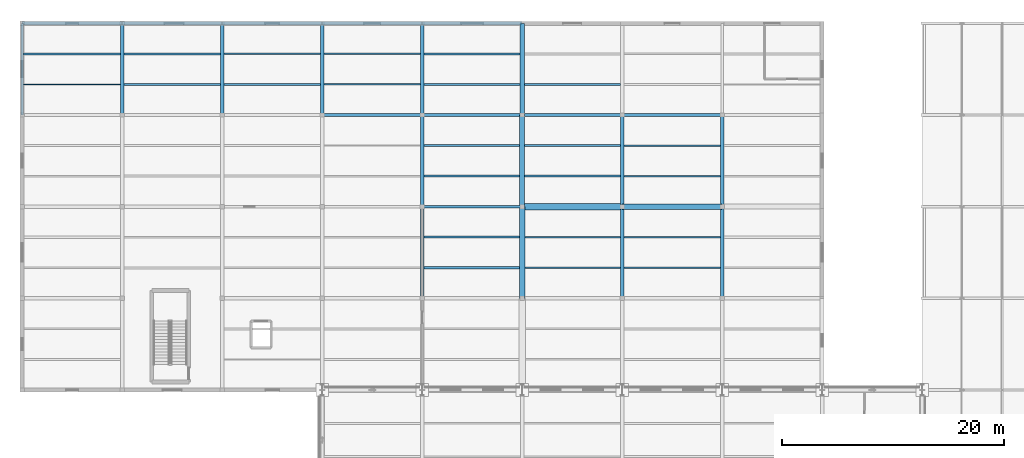
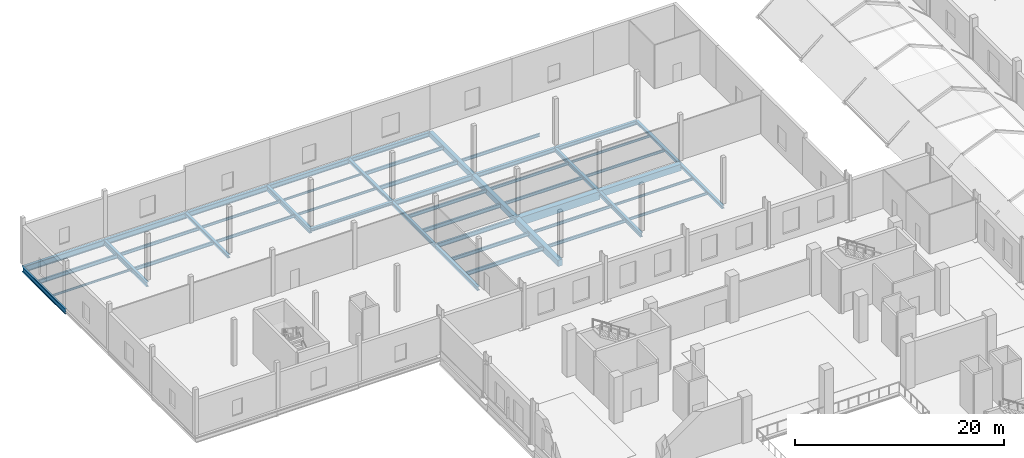
# One storey, part 45 of 141: 49 beams.
"""IFC4 building model written with IfcOpenShell, lengths in metres."""

import ifcopenshell
import ifcopenshell.guid

model = None  # the IFC model being written
_history = None  # IfcOwnerHistory: only IFC2X3 demands one
_inside = {}  # id of a spatial element -> (the spatial element, [elements in it])
_under = {}  # id of a project, library or spatial element -> (it, [spatial elements below it])
_declared = {}  # id of a project -> (the project, [libraries it declares])
_typed = {}  # id of a type object -> (the type object, [elements of that type])
_made_of = {}  # id of a material, layer set ... -> (it, [elements and type objects made of it])


def new_model(schema):
    """Start an empty IFC model of exactly this schema.

    Asked for "IFC4X3", IfcOpenShell would pick the latest addendum, in which some entities
    have other attributes; the version numbers below select the first issue.
    IFC2X3 requires an IfcOwnerHistory on every rooted entity: one is made here for all.
    """
    global model, _history
    if schema == "IFC4X3":
        model = ifcopenshell.file(schema_version=(4, 3, 0, 0))
    else:
        model = ifcopenshell.file(schema=schema)
    _inside.clear()
    _under.clear()
    _declared.clear()
    _typed.clear()
    _made_of.clear()
    _history = None
    if model.schema == "IFC2X3":
        org = make("IfcOrganization", Name="unknown")
        user = make(
            "IfcPersonAndOrganization",
            ThePerson=make("IfcPerson", FamilyName="unknown"),
            TheOrganization=org,
        )
        app = make(
            "IfcApplication",
            ApplicationDeveloper=org,
            Version="unknown",
            ApplicationFullName="unknown",
            ApplicationIdentifier="unknown",
        )
        _history = make(
            "IfcOwnerHistory",
            OwningUser=user,
            OwningApplication=app,
            ChangeAction="ADDED",
            CreationDate=0,
        )
    return model


def make(cls, **values):
    """One entity of the class cls with the attributes given. An attribute that is None is left unset."""
    return model.create_entity(
        cls, **{name: value for name, value in values.items() if value is not None}
    )


def rooted(cls, **values):
    """An entity with a GlobalId (a new one), such as an element, a storey or a relation."""
    return make(cls, GlobalId=ifcopenshell.guid.new(), OwnerHistory=_history, **values)


def si_unit(unit_type, name, prefix=None):
    """IfcSIUnit, for example si_unit("LENGTHUNIT", "METRE", prefix="MILLI")."""
    return make("IfcSIUnit", UnitType=unit_type, Prefix=prefix, Name=name)


def assignment(units):
    """IfcUnitAssignment: the units of a project."""
    return None if units is None else make("IfcUnitAssignment", Units=units)


def point(xyz):
    """IfcCartesianPoint."""
    return None if xyz is None else make("IfcCartesianPoint", Coordinates=xyz)


def direction(xyz):
    """IfcDirection."""
    return None if xyz is None else make("IfcDirection", DirectionRatios=xyz)


def frame(location, z_axis=None, x_axis=None):
    """IfcAxis2Placement3D, a coordinate frame: its origin and axes. An axis left out is left unset."""
    return make(
        "IfcAxis2Placement3D",
        Location=point(location),
        Axis=direction(z_axis),
        RefDirection=direction(x_axis),
    )


def frame_2d(location, x_axis=None):
    """IfcAxis2Placement2D, a coordinate frame in the plane: its origin and x axis."""
    return make(
        "IfcAxis2Placement2D", Location=point(location), RefDirection=direction(x_axis)
    )


def origin():
    """The frame at (0, 0, 0) with its axes left unset."""
    return frame((0.0, 0.0, 0.0))


def origin_2d():
    """The frame at (0, 0) in the plane with its x axis left unset."""
    return frame_2d((0.0, 0.0))


def place(relative_to, where):
    """IfcLocalPlacement: puts the frame where relative to a parent placement (None: the world)."""
    return make(
        "IfcLocalPlacement", PlacementRelTo=relative_to, RelativePlacement=where
    )


def context(
    kind, dimensions, precision=None, world=None, true_north=None, identifier=None
):
    """IfcGeometricRepresentationContext, for example the 3D "Model" context."""
    return make(
        "IfcGeometricRepresentationContext",
        ContextIdentifier=identifier,
        ContextType=kind,
        CoordinateSpaceDimension=dimensions,
        Precision=precision,
        WorldCoordinateSystem=world,
        TrueNorth=true_north,
    )


def subcontext(parent, identifier, kind, view, scale=None):
    """IfcGeometricRepresentationSubContext, for example "Body" below "Model"."""
    return make(
        "IfcGeometricRepresentationSubContext",
        ContextIdentifier=identifier,
        ContextType=kind,
        ParentContext=parent,
        TargetScale=scale,
        TargetView=view,
    )


def project(units=None, contexts=None):
    """IfcProject with its units and contexts."""
    return rooted(
        "IfcProject",
        Name="project",
        RepresentationContexts=contexts,
        UnitsInContext=assignment(units),
    )


def spatial(cls, under=None, at=None, **own):
    """A site, building, storey or space (cls), placed at a placement, below another one or the project."""
    s = rooted(cls, ObjectPlacement=at, **own)
    if under is not None:
        _under.setdefault(under.id(), (under, []))[1].append(s)
    return s


def profile(cls, at=None, kind="AREA", **sizes):
    """A parametric profile (cls). Its sizes go by their IFC names, for example OverallWidth=200.0."""
    return make(cls, ProfileType=kind, Position=at, **sizes)


def rectangle(**sizes):
    """IfcRectangleProfileDef."""
    return profile("IfcRectangleProfileDef", **sizes)


def i_section(**sizes):
    """IfcIShapeProfileDef."""
    return profile("IfcIShapeProfileDef", **sizes)


def extrude(swept, where, along, depth):
    """IfcExtrudedAreaSolid: the profile swept, set in the frame where, extruded along a direction by depth."""
    return make(
        "IfcExtrudedAreaSolid",
        SweptArea=swept,
        Position=where,
        ExtrudedDirection=direction(along),
        Depth=depth,
    )


def shape(context_of_items, identifier, shape_type, items):
    """IfcShapeRepresentation: the items that make up one representation, for example the "Body"."""
    return make(
        "IfcShapeRepresentation",
        ContextOfItems=context_of_items,
        RepresentationIdentifier=identifier,
        RepresentationType=shape_type,
        Items=items,
    )


def material(Name=None, Category=None):
    """IfcMaterial."""
    return make("IfcMaterial", Name=Name, Category=Category)


def material_profile(
    of_material, cross_section, Name=None, Category=None, Priority=None
):
    """IfcMaterialProfile: a cross section and its material."""
    return make(
        "IfcMaterialProfile",
        Name=Name,
        Material=of_material,
        Profile=cross_section,
        Priority=Priority,
        Category=Category,
    )


def profile_set(profiles, Name=None, composite=None):
    """IfcMaterialProfileSet."""
    return make(
        "IfcMaterialProfileSet",
        Name=Name,
        MaterialProfiles=profiles,
        CompositeProfile=composite,
    )


def made_of(thing, what):
    """Note that an element or type object is made of a material, layer set ...; save() writes the relation."""
    if what is not None:
        _made_of.setdefault(what.id(), (what, []))[1].append(thing)
    return thing


def type_object(cls, material=None, **own):
    """A type object (cls), such as IfcWallType, which elements share."""
    return made_of(rooted(cls, **own), material)


def element(
    cls,
    number,
    at=None,
    inside=None,
    cuts=None,
    type_object=None,
    material=None,
    context=None,
    identifier="Body",
    shape_type=None,
    held_by="IfcProductDefinitionShape",
    body=None,
    shapes=None,
    **own,
):
    """One element of the class cls, such as IfcWall. Its Tag is "e" and its number.

    at: its placement. inside: the storey or other place that contains it. cuts: it is an
    opening in that element (IfcRelVoidsElement). A single representation is given by context,
    identifier, shape_type and body (its items); several are given by shapes. held_by: the class
    of the entity that holds the representations. save() writes the other relations.
    """
    e = rooted(cls, Tag="e%d" % number, ObjectPlacement=at, **own)
    if body is not None:
        shapes = [shape(context, identifier, shape_type, body)]
    if shapes is not None:
        e.Representation = make(held_by, Representations=shapes)
    if inside is not None:
        _inside.setdefault(inside.id(), (inside, []))[1].append(e)
    if cuts is not None:
        rooted(
            "IfcRelVoidsElement", RelatingBuildingElement=cuts, RelatedOpeningElement=e
        )
    if type_object is not None:
        _typed.setdefault(type_object.id(), (type_object, []))[1].append(e)
    return made_of(e, material)


def aggregate(whole, parts):
    """IfcRelAggregates: a whole, such as a stair, and the parts it consists of."""
    return rooted("IfcRelAggregates", RelatingObject=whole, RelatedObjects=parts)


def save(model, path):
    """Write the relations noted so far, then the file.

    IfcRelAggregates (storeys below a building ...), IfcRelContainedInSpatialStructure (elements
    in a storey), IfcRelDefinesByType, IfcRelAssociatesMaterial and IfcRelDeclares: one each for
    every whole, place, type object, material and project.
    """
    for whole, parts in _under.values():
        aggregate(whole, parts)
    for where, things in _inside.values():
        rooted(
            "IfcRelContainedInSpatialStructure",
            RelatedElements=things,
            RelatingStructure=where,
        )
    for kind, things in _typed.values():
        rooted("IfcRelDefinesByType", RelatedObjects=things, RelatingType=kind)
    for what, things in _made_of.values():
        rooted("IfcRelAssociatesMaterial", RelatedObjects=things, RelatingMaterial=what)
    for by, libraries in _declared.values():
        rooted("IfcRelDeclares", RelatingContext=by, RelatedDefinitions=libraries)
    model.write(path)


model = new_model("IFC4")

# Units and contexts
model_context = context("Model", 3, precision=1e-05, world=origin(), true_north=direction((0.0, 1.0)))
body_context = subcontext(model_context, "Body", "Model", "MODEL_VIEW")
ifc_project = project(units=[si_unit("LENGTHUNIT", "METRE"), si_unit("AREAUNIT", "SQUARE_METRE"), si_unit("VOLUMEUNIT", "CUBIC_METRE"), si_unit("PLANEANGLEUNIT", "RADIAN"), si_unit("MASSUNIT", "GRAM", prefix="KILO")], contexts=[model_context])

# Site, building, storey
site_placement = place(None, origin())
site = spatial("IfcSite", under=ifc_project, at=site_placement, CompositionType="ELEMENT")
building_placement = place(site_placement, origin())
building = spatial("IfcBuilding", under=site, at=building_placement, Name="Sundgate Opera House", CompositionType="ELEMENT")
storey_placement = place(building_placement, frame((0.0, 0.0, 11.39990234375)))
storey = spatial("IfcBuildingStorey", under=building, at=storey_placement, Name="L02", CompositionType="ELEMENT", Elevation=11.39990234375)

# Beams
ifc_material_1 = material(Name="Steel S355J2", Category="steel")
ifc_material_profile_1 = material_profile(ifc_material_1, i_section(OverallWidth=0.300048828125, OverallDepth=0.330078125, WebThickness=0.009521484375, FlangeThickness=0.0166015625, at=origin_2d()), Name="HEA 340")
ifc_profile_set_1 = profile_set([ifc_material_profile_1], Name="Steel S355J2")
beam_type_1 = type_object("IfcBeamType", Name="BM-GR-HEA340", PredefinedType="BEAM", material=ifc_profile_set_1)
beam_1_placement = place(storey_placement, frame((63.0, 103.5, -0.514892578125), z_axis=(0.0, 1.0, 0.0), x_axis=(-1.0, 0.0, 0.0)))
element("IfcBeam", 1, at=beam_1_placement, inside=storey, type_object=beam_type_1, Name="L02 Primary N-S Girder B1836", PredefinedType="BEAM", context=body_context, shape_type="SweptSolid", body=[
    extrude(i_section(OverallWidth=0.300048828125, OverallDepth=0.330078125, WebThickness=0.009521484375, FlangeThickness=0.0166015625, at=origin_2d()), origin(), (0.0, 0.0, 1.0), 8.25),
])
ifc_material_2 = material(Name="Steel S355J2", Category="steel")
ifc_material_profile_2 = material_profile(ifc_material_2, i_section(OverallWidth=0.300048828125, OverallDepth=0.35009765625, WebThickness=0.010009765625, FlangeThickness=0.017578125, at=origin_2d()), Name="HEA 360")
ifc_profile_set_2 = profile_set([ifc_material_profile_2], Name="Steel S355J2")
beam_type_2 = type_object("IfcBeamType", Name="BM-GR-HEA360", PredefinedType="BEAM", material=ifc_profile_set_2)
for number, where, z_axis, x_axis, name in (
    (2, (18.0, 111.75, -0.52490234375), (0.0, 1.0, 0.0), (-1.0, 0.0, 0.0), "L02 Primary N-S Girder B1810"),
    (3, (36.0, 111.75, -0.52490234375), (0.0, 1.0, 0.0), (-1.0, 0.0, 0.0), "L02 Primary N-S Girder B1822"),
    (4, (63.0, 95.25, -0.52490234375), (0.0, 1.0, 0.0), (-1.0, 0.0, 0.0), "L02 Primary N-S Girder B1835"),
):
    element("IfcBeam", number, at=place(storey_placement, frame(where, z_axis=z_axis, x_axis=x_axis)), inside=storey, type_object=beam_type_2, Name=name, PredefinedType="BEAM", context=body_context, shape_type="SweptSolid", body=[
        extrude(i_section(OverallWidth=0.300048828125, OverallDepth=0.35009765625, WebThickness=0.010009765625, FlangeThickness=0.017578125, at=origin_2d()), origin(), (0.0, 0.0, 1.0), 8.25),
    ])
ifc_material_3 = material(Name="Steel S355J2", Category="steel")
ifc_material_profile_3 = material_profile(ifc_material_3, i_section(OverallWidth=0.300048828125, OverallDepth=0.389892578125, WebThickness=0.010986328125, FlangeThickness=0.01904296875, at=origin_2d()), Name="HEA 400")
ifc_profile_set_3 = profile_set([ifc_material_profile_3], Name="Steel S355J2")
beam_type_3 = type_object("IfcBeamType", Name="BM-GR-HEA400", PredefinedType="BEAM", material=ifc_profile_set_3)
beam_2_placement = place(storey_placement, frame((36.0, 103.5, -0.544921875), z_axis=(0.0, 1.0, 0.0), x_axis=(-1.0, 0.0, 0.0)))
element("IfcBeam", 5, at=beam_2_placement, inside=storey, type_object=beam_type_3, Name="L02 Primary N-S Girder B1821", PredefinedType="BEAM", context=body_context, shape_type="SweptSolid", body=[
    extrude(i_section(OverallWidth=0.300048828125, OverallDepth=0.389892578125, WebThickness=0.010986328125, FlangeThickness=0.01904296875, at=origin_2d()), origin(), (0.0, 0.0, 1.0), 8.25),
])
ifc_material_4 = material(Name="Steel S355J2", Category="steel")
ifc_material_profile_4 = material_profile(ifc_material_4, i_section(OverallWidth=0.300048828125, OverallDepth=0.43994140625, WebThickness=0.011474609375, FlangeThickness=0.02099609375, at=origin_2d()), Name="HEA 450")
ifc_profile_set_4 = profile_set([ifc_material_profile_4], Name="Steel S355J2")
beam_type_4 = type_object("IfcBeamType", Name="BM-GR-HEA450", PredefinedType="BEAM", material=ifc_profile_set_4)
beam_3_placement = place(storey_placement, frame((36.0, 95.25, -0.56982421875), z_axis=(0.0, 1.0, 0.0), x_axis=(-1.0, 0.0, 0.0)))
element("IfcBeam", 6, at=beam_3_placement, inside=storey, type_object=beam_type_4, Name="L02 Primary N-S Girder B1820", PredefinedType="BEAM", context=body_context, shape_type="SweptSolid", body=[
    extrude(i_section(OverallWidth=0.300048828125, OverallDepth=0.43994140625, WebThickness=0.011474609375, FlangeThickness=0.02099609375, at=origin_2d()), origin(), (0.0, 0.0, 1.0), 8.25),
])
beam_4_placement = place(storey_placement, frame((54.0, 111.75, -0.56982421875), z_axis=(1.0, 0.0, 0.0), x_axis=(0.0, 1.0, 0.0)))
element("IfcBeam", 7, at=beam_4_placement, inside=storey, type_object=beam_type_4, Name="L02 Primary E-W Girder B2101", PredefinedType="BEAM", context=body_context, shape_type="SweptSolid", body=[
    extrude(i_section(OverallWidth=0.300048828125, OverallDepth=0.43994140625, WebThickness=0.011474609375, FlangeThickness=0.02099609375, at=origin_2d()), origin(), (0.0, 0.0, 1.0), 9.0),
])
ifc_material_5 = material(Name="Steel S355J2", Category="steel")
ifc_material_profile_5 = material_profile(ifc_material_5, i_section(OverallWidth=0.300048828125, OverallDepth=0.489990234375, WebThickness=0.011962890625, FlangeThickness=0.02294921875, at=origin_2d()), Name="HEA 500")
ifc_profile_set_5 = profile_set([ifc_material_profile_5], Name="Steel S355J2")
beam_type_5 = type_object("IfcBeamType", Name="BM-GR-HEA500", PredefinedType="BEAM", material=ifc_profile_set_5)
beam_5_placement = place(storey_placement, frame((45.0, 111.75, -0.594970703125), z_axis=(1.0, 0.0, 0.0), x_axis=(0.0, 1.0, 0.0)))
element("IfcBeam", 8, at=beam_5_placement, inside=storey, type_object=beam_type_5, Name="L02 Primary E-W Girder B2100", PredefinedType="BEAM", context=body_context, shape_type="SweptSolid", body=[
    extrude(i_section(OverallWidth=0.300048828125, OverallDepth=0.489990234375, WebThickness=0.011962890625, FlangeThickness=0.02294921875, at=origin_2d()), origin(), (0.0, 0.0, 1.0), 9.0),
])
ifc_material_6 = material(Name="Steel S355J2", Category="steel")
ifc_material_profile_6 = material_profile(ifc_material_6, i_section(OverallWidth=0.300048828125, OverallDepth=0.590087890625, WebThickness=0.012939453125, FlangeThickness=0.02490234375, at=origin_2d()), Name="HEA 600")
ifc_profile_set_6 = profile_set([ifc_material_profile_6], Name="Steel S355J2")
beam_type_6 = type_object("IfcBeamType", Name="BM-GR-HEA600", PredefinedType="BEAM", material=ifc_profile_set_6)
beam_6_placement = place(storey_placement, frame((36.0, 111.75, -0.64501953125), z_axis=(1.0, 0.0, 0.0), x_axis=(0.0, 1.0, 0.0)))
element("IfcBeam", 9, at=beam_6_placement, inside=storey, type_object=beam_type_6, Name="L02 Primary E-W Girder B2099", PredefinedType="BEAM", context=body_context, shape_type="SweptSolid", body=[
    extrude(i_section(OverallWidth=0.300048828125, OverallDepth=0.590087890625, WebThickness=0.012939453125, FlangeThickness=0.02490234375, at=origin_2d()), origin(), (0.0, 0.0, 1.0), 9.0),
])
ifc_material_7 = material(Name="Steel S355J2", Category="steel")
ifc_material_profile_7 = material_profile(ifc_material_7, i_section(OverallWidth=0.300048828125, OverallDepth=0.360107421875, WebThickness=0.012451171875, FlangeThickness=0.0224609375, at=origin_2d()), Name="HEB 360")
ifc_profile_set_7 = profile_set([ifc_material_profile_7], Name="Steel S355J2")
beam_type_7 = type_object("IfcBeamType", Name="BM-GR-HEB360", PredefinedType="BEAM", material=ifc_profile_set_7)
beam_7_placement = place(storey_placement, frame((27.0, 111.75, -0.52978515625), z_axis=(1.0, 0.0, 0.0), x_axis=(0.0, 1.0, 0.0)))
element("IfcBeam", 10, at=beam_7_placement, inside=storey, type_object=beam_type_7, Name="L02 Primary E-W Girder B2098", PredefinedType="BEAM", context=body_context, shape_type="SweptSolid", body=[
    extrude(i_section(OverallWidth=0.300048828125, OverallDepth=0.360107421875, WebThickness=0.012451171875, FlangeThickness=0.0224609375, at=origin_2d()), origin(), (0.0, 0.0, 1.0), 9.0),
])
ifc_material_8 = material(Name="Steel S355J2", Category="steel")
ifc_material_profile_8 = material_profile(ifc_material_8, i_section(OverallWidth=0.300048828125, OverallDepth=0.449951171875, WebThickness=0.013916015625, FlangeThickness=0.02587890625, at=origin_2d()), Name="HEB 450")
ifc_profile_set_8 = profile_set([ifc_material_profile_8], Name="Steel S355J2")
beam_type_8 = type_object("IfcBeamType", Name="BM-GR-HEB450", PredefinedType="BEAM", material=ifc_profile_set_8)
beam_8_placement = place(storey_placement, frame((54.0, 103.5, -0.574951171875), z_axis=(0.0, 1.0, 0.0), x_axis=(-1.0, 0.0, 0.0)))
element("IfcBeam", 11, at=beam_8_placement, inside=storey, type_object=beam_type_8, Name="L02 Primary N-S Girder B1831", PredefinedType="BEAM", context=body_context, shape_type="SweptSolid", body=[
    extrude(i_section(OverallWidth=0.300048828125, OverallDepth=0.449951171875, WebThickness=0.013916015625, FlangeThickness=0.02587890625, at=origin_2d()), origin(), (0.0, 0.0, 1.0), 8.25),
])
ifc_material_9 = material(Name="Steel S355J2", Category="steel")
ifc_material_profile_9 = material_profile(ifc_material_9, i_section(OverallWidth=0.300048828125, OverallDepth=0.5, WebThickness=0.014404296875, FlangeThickness=0.028076171875, at=origin_2d()), Name="HEB 500")
ifc_profile_set_9 = profile_set([ifc_material_profile_9], Name="Steel S355J2")
beam_type_9 = type_object("IfcBeamType", Name="BM-GR-HEB500", PredefinedType="BEAM", material=ifc_profile_set_9)
beam_9_placement = place(storey_placement, frame((54.0, 95.25, -0.599853515625), z_axis=(0.0, 1.0, 0.0), x_axis=(-1.0, 0.0, 0.0)))
element("IfcBeam", 12, at=beam_9_placement, inside=storey, type_object=beam_type_9, Name="L02 Primary N-S Girder B1830", PredefinedType="BEAM", context=body_context, shape_type="SweptSolid", body=[
    extrude(i_section(OverallWidth=0.300048828125, OverallDepth=0.5, WebThickness=0.014404296875, FlangeThickness=0.028076171875, at=origin_2d()), origin(), (0.0, 0.0, 1.0), 8.25),
])
beam_10_placement = place(storey_placement, frame((36.0, 120.0, -0.599853515625), z_axis=(1.0, 0.0, 0.0), x_axis=(0.0, 1.0, 0.0)))
element("IfcBeam", 13, at=beam_10_placement, inside=storey, type_object=beam_type_9, Name="L02 Primary E-W Girder B2117", PredefinedType="BEAM", context=body_context, shape_type="SweptSolid", body=[
    extrude(i_section(OverallWidth=0.300048828125, OverallDepth=0.5, WebThickness=0.014404296875, FlangeThickness=0.028076171875, at=origin_2d()), origin(), (0.0, 0.0, 1.0), 9.0),
])
ifc_material_10 = material(Name="Steel S355J2", Category="steel")
ifc_material_profile_10 = material_profile(ifc_material_10, i_section(OverallWidth=0.300048828125, OverallDepth=0.550048828125, WebThickness=0.014892578125, FlangeThickness=0.029052734375, at=origin_2d()), Name="HEB 550")
ifc_profile_set_10 = profile_set([ifc_material_profile_10], Name="Steel S355J2")
beam_type_10 = type_object("IfcBeamType", Name="BM-GR-HEB550", PredefinedType="BEAM", material=ifc_profile_set_10)
beam_11_placement = place(storey_placement, frame((9.0, 111.75, -0.625), z_axis=(0.0, 1.0, 0.0), x_axis=(-1.0, 0.0, 0.0)))
element("IfcBeam", 14, at=beam_11_placement, inside=storey, type_object=beam_type_10, Name="L02 Primary N-S Girder B1801", PredefinedType="BEAM", context=body_context, shape_type="SweptSolid", body=[
    extrude(i_section(OverallWidth=0.300048828125, OverallDepth=0.550048828125, WebThickness=0.014892578125, FlangeThickness=0.029052734375, at=origin_2d()), origin(), (0.0, 0.0, 1.0), 8.25),
])
beam_12_placement = place(storey_placement, frame((27.0, 120.0, -0.625), z_axis=(1.0, 0.0, 0.0), x_axis=(0.0, 1.0, 0.0)))
element("IfcBeam", 15, at=beam_12_placement, inside=storey, type_object=beam_type_10, Name="L02 Primary E-W Girder B2116", PredefinedType="BEAM", context=body_context, shape_type="SweptSolid", body=[
    extrude(i_section(OverallWidth=0.300048828125, OverallDepth=0.550048828125, WebThickness=0.014892578125, FlangeThickness=0.029052734375, at=origin_2d()), origin(), (0.0, 0.0, 1.0), 9.0),
])
ifc_material_11 = material(Name="Steel S355J2", Category="steel")
ifc_material_profile_11 = material_profile(ifc_material_11, i_section(OverallWidth=0.300048828125, OverallDepth=0.60009765625, WebThickness=0.015380859375, FlangeThickness=0.030029296875, at=origin_2d()), Name="HEB 600")
ifc_profile_set_11 = profile_set([ifc_material_profile_11], Name="Steel S355J2")
beam_type_11 = type_object("IfcBeamType", Name="BM-GR-HEB600", PredefinedType="BEAM", material=ifc_profile_set_11)
beam_13_placement = place(storey_placement, frame((27.0, 111.75, -0.64990234375), z_axis=(0.0, 1.0, 0.0), x_axis=(-1.0, 0.0, 0.0)))
element("IfcBeam", 16, at=beam_13_placement, inside=storey, type_object=beam_type_11, Name="L02 Primary N-S Girder B1816", PredefinedType="BEAM", context=body_context, shape_type="SweptSolid", body=[
    extrude(i_section(OverallWidth=0.300048828125, OverallDepth=0.60009765625, WebThickness=0.015380859375, FlangeThickness=0.030029296875, at=origin_2d()), origin(), (0.0, 0.0, 1.0), 8.25),
])
beam_14_placement = place(storey_placement, frame((18.0, 120.0, -0.64990234375), z_axis=(1.0, 0.0, 0.0), x_axis=(0.0, 1.0, 0.0)))
element("IfcBeam", 17, at=beam_14_placement, inside=storey, type_object=beam_type_11, Name="L02 Primary E-W Girder B2115", PredefinedType="BEAM", context=body_context, shape_type="SweptSolid", body=[
    extrude(i_section(OverallWidth=0.300048828125, OverallDepth=0.60009765625, WebThickness=0.015380859375, FlangeThickness=0.030029296875, at=origin_2d()), origin(), (0.0, 0.0, 1.0), 9.0),
])
ifc_material_12 = material(Name="Steel S355J2", Category="steel")
ifc_material_profile_12 = material_profile(ifc_material_12, i_section(OverallWidth=0.300048828125, OverallDepth=0.64990234375, WebThickness=0.01611328125, FlangeThickness=0.031005859375, at=origin_2d()), Name="HEB 650")
ifc_profile_set_12 = profile_set([ifc_material_profile_12], Name="Steel S355J2")
beam_type_12 = type_object("IfcBeamType", Name="BM-GR-HEB650", PredefinedType="BEAM", material=ifc_profile_set_12)
beam_15_placement = place(storey_placement, frame((9.0, 120.0, -0.6748046875), z_axis=(1.0, 0.0, 0.0), x_axis=(0.0, 1.0, 0.0)))
element("IfcBeam", 18, at=beam_15_placement, inside=storey, type_object=beam_type_12, Name="L02 Primary E-W Girder B2114", PredefinedType="BEAM", context=body_context, shape_type="SweptSolid", body=[
    extrude(i_section(OverallWidth=0.300048828125, OverallDepth=0.64990234375, WebThickness=0.01611328125, FlangeThickness=0.031005859375, at=origin_2d()), origin(), (0.0, 0.0, 1.0), 9.0),
])
ifc_material_13 = material(Name="Steel S355J2", Category="steel")
ifc_material_profile_13 = material_profile(ifc_material_13, i_section(OverallWidth=0.300048828125, OverallDepth=0.699951171875, WebThickness=0.01708984375, FlangeThickness=0.031982421875, at=origin_2d()), Name="HEB 700")
ifc_profile_set_13 = profile_set([ifc_material_profile_13], Name="Steel S355J2")
beam_type_13 = type_object("IfcBeamType", Name="BM-GR-HEB700", PredefinedType="BEAM", material=ifc_profile_set_13)
beam_16_placement = place(storey_placement, frame((0.0, 120.0, -0.699951171875), z_axis=(1.0, 0.0, 0.0), x_axis=(0.0, 1.0, 0.0)))
element("IfcBeam", 19, at=beam_16_placement, inside=storey, type_object=beam_type_13, Name="L02 Primary E-W Girder B2113", PredefinedType="BEAM", context=body_context, shape_type="SweptSolid", body=[
    extrude(i_section(OverallWidth=0.300048828125, OverallDepth=0.699951171875, WebThickness=0.01708984375, FlangeThickness=0.031982421875, at=origin_2d()), origin(), (0.0, 0.0, 1.0), 9.0),
])
ifc_material_14 = material(Name="Steel S355J2", Category="steel")
ifc_material_profile_14 = material_profile(ifc_material_14, i_section(OverallWidth=0.199951171875, OverallDepth=0.5, WebThickness=0.01025390625, FlangeThickness=0.01611328125, at=origin_2d()), Name="IPE 500")
ifc_profile_set_14 = profile_set([ifc_material_profile_14], Name="Steel S355J2")
beam_type_14 = type_object("IfcBeamType", Name="BM-GR-IPE500", PredefinedType="BEAM", material=ifc_profile_set_14)
beam_17_placement = place(storey_placement, frame((36.0, 103.5, -0.599853515625), z_axis=(1.0, 0.0, 0.0), x_axis=(0.0, 1.0, 0.0)))
element("IfcBeam", 20, at=beam_17_placement, inside=storey, type_object=beam_type_14, Name="L02 Primary E-W Girder B2085", PredefinedType="BEAM", context=body_context, shape_type="SweptSolid", body=[
    extrude(i_section(OverallWidth=0.199951171875, OverallDepth=0.5, WebThickness=0.01025390625, FlangeThickness=0.01611328125, at=origin_2d()), origin(), (0.0, 0.0, 1.0), 9.0),
])
ifc_material_15 = material(Name="Steel S355J2", Category="steel")
ifc_material_profile_15 = material_profile(ifc_material_15, i_section(OverallWidth=0.219970703125, OverallDepth=0.60009765625, WebThickness=0.011962890625, FlangeThickness=0.01904296875, at=origin_2d()), Name="IPE 600")
ifc_profile_set_15 = profile_set([ifc_material_profile_15], Name="Steel S355J2")
beam_type_15 = type_object("IfcBeamType", Name="BM-GR-IPE600", PredefinedType="BEAM", material=ifc_profile_set_15)
beam_18_placement = place(storey_placement, frame((0.0, 111.75, -0.64990234375), z_axis=(0.0, 1.0, 0.0), x_axis=(-1.0, 0.0, 0.0)))
element("IfcBeam", 21, at=beam_18_placement, inside=storey, type_object=beam_type_15, Name="L02 Primary N-S Girder B1790", PredefinedType="BEAM", context=body_context, shape_type="SweptSolid", body=[
    extrude(i_section(OverallWidth=0.219970703125, OverallDepth=0.60009765625, WebThickness=0.011962890625, FlangeThickness=0.01904296875, at=origin_2d()), origin(), (0.0, 0.0, 1.0), 8.25),
])
ifc_material_16 = material(Name="Steel S355J2", Category="steel")
ifc_material_profile_16 = material_profile(ifc_material_16, i_section(OverallWidth=0.1201171875, OverallDepth=0.239990234375, WebThickness=0.006103515625, FlangeThickness=0.009765625, at=origin_2d()), Name="IPE 240")
ifc_profile_set_16 = profile_set([ifc_material_profile_16], Name="Steel S355J2")
beam_type_16 = type_object("IfcBeamType", Name="BM-JS-IPE240", PredefinedType="JOIST", material=ifc_profile_set_16)
beam_19_placement = place(storey_placement, frame((0.110107421875, 114.5, -0.469970703125), z_axis=(1.0, 0.0, 0.0), x_axis=(0.0, 1.0, 0.0)))
element("IfcBeam", 22, at=beam_19_placement, inside=storey, type_object=beam_type_16, Name="L02 Secondary Floor Joist B2415", PredefinedType="JOIST", context=body_context, shape_type="SweptSolid", body=[
    extrude(i_section(OverallWidth=0.1201171875, OverallDepth=0.239990234375, WebThickness=0.006103515625, FlangeThickness=0.009765625, at=origin_2d()), origin(), (0.0, 0.0, 1.0), 8.739990234375),
])
beam_20_placement = place(storey_placement, frame((27.14990234375, 117.25, -0.469970703125), z_axis=(1.0, 0.0, 0.0), x_axis=(0.0, 1.0, 0.0)))
element("IfcBeam", 23, at=beam_20_placement, inside=storey, type_object=beam_type_16, Name="L02 Secondary Floor Joist B2422", PredefinedType="JOIST", context=body_context, shape_type="SweptSolid", body=[
    extrude(i_section(OverallWidth=0.1201171875, OverallDepth=0.239990234375, WebThickness=0.006103515625, FlangeThickness=0.009765625, at=origin_2d()), origin(), (0.0, 0.0, 1.0), 8.7001953125),
])
ifc_material_17 = material(Name="Steel S355J2", Category="steel")
ifc_material_profile_17 = material_profile(ifc_material_17, i_section(OverallWidth=0.135009765625, OverallDepth=0.27001953125, WebThickness=0.006591796875, FlangeThickness=0.01025390625, at=origin_2d()), Name="IPE 270")
ifc_profile_set_17 = profile_set([ifc_material_profile_17], Name="Steel S355J2")
beam_type_17 = type_object("IfcBeamType", Name="BM-JS-IPE270", PredefinedType="JOIST", material=ifc_profile_set_17)
for number, where, z_axis, x_axis, name in (
    (24, (54.14990234375, 100.75, -0.48486328125), (1.0, 0.0, 0.0), (0.0, 1.0, 0.0), "L02 Secondary Floor Joist B2372"),
    (25, (54.14990234375, 109.0, -0.48486328125), (1.0, 0.0, 0.0), (0.0, 1.0, 0.0), "L02 Secondary Floor Joist B2400"),
    (26, (27.14990234375, 114.5, -0.48486328125), (1.0, 0.0, 0.0), (0.0, 1.0, 0.0), "L02 Secondary Floor Joist B2421"),
):
    element("IfcBeam", number, at=place(storey_placement, frame(where, z_axis=z_axis, x_axis=x_axis)), inside=storey, type_object=beam_type_17, Name=name, PredefinedType="JOIST", context=body_context, shape_type="SweptSolid", body=[
        extrude(i_section(OverallWidth=0.135009765625, OverallDepth=0.27001953125, WebThickness=0.006591796875, FlangeThickness=0.01025390625, at=origin_2d()), origin(), (0.0, 0.0, 1.0), 8.7001953125),
    ])
ifc_material_18 = material(Name="Steel S355J2", Category="steel")
ifc_material_profile_18 = material_profile(ifc_material_18, i_section(OverallWidth=0.14990234375, OverallDepth=0.300048828125, WebThickness=0.007080078125, FlangeThickness=0.0107421875, at=origin_2d()), Name="IPE 300")
ifc_profile_set_18 = profile_set([ifc_material_profile_18], Name="Steel S355J2")
beam_type_18 = type_object("IfcBeamType", Name="BM-JS-IPE300", PredefinedType="JOIST", material=ifc_profile_set_18)
for number, where, z_axis, x_axis, name in (
    (27, (54.14990234375, 98.0, -0.5), (1.0, 0.0, 0.0), (0.0, 1.0, 0.0), "L02 Secondary Floor Joist B2371"),
    (28, (54.14990234375, 106.25, -0.5), (1.0, 0.0, 0.0), (0.0, 1.0, 0.0), "L02 Secondary Floor Joist B2399"),
    (29, (18.14990234375, 117.25, -0.5), (1.0, 0.0, 0.0), (0.0, 1.0, 0.0), "L02 Secondary Floor Joist B2420"),
):
    element("IfcBeam", number, at=place(storey_placement, frame(where, z_axis=z_axis, x_axis=x_axis)), inside=storey, type_object=beam_type_18, Name=name, PredefinedType="JOIST", context=body_context, shape_type="SweptSolid", body=[
        extrude(i_section(OverallWidth=0.14990234375, OverallDepth=0.300048828125, WebThickness=0.007080078125, FlangeThickness=0.0107421875, at=origin_2d()), origin(), (0.0, 0.0, 1.0), 8.7001953125),
    ])
ifc_material_19 = material(Name="Steel S355J2", Category="steel")
ifc_material_profile_19 = material_profile(ifc_material_19, i_section(OverallWidth=0.159912109375, OverallDepth=0.330078125, WebThickness=0.007568359375, FlangeThickness=0.011474609375, at=origin_2d()), Name="IPE 330")
ifc_profile_set_19 = profile_set([ifc_material_profile_19], Name="Steel S355J2")
beam_type_19 = type_object("IfcBeamType", Name="BM-JS-IPE330", PredefinedType="JOIST", material=ifc_profile_set_19)
beam_21_placement = place(storey_placement, frame((45.25, 100.75, -0.514892578125), z_axis=(1.0, 0.0, 0.0), x_axis=(0.0, 1.0, 0.0)))
element("IfcBeam", 30, at=beam_21_placement, inside=storey, type_object=beam_type_19, Name="L02 Secondary Floor Joist B2370", PredefinedType="JOIST", context=body_context, shape_type="SweptSolid", body=[
    extrude(i_section(OverallWidth=0.159912109375, OverallDepth=0.330078125, WebThickness=0.007568359375, FlangeThickness=0.011474609375, at=origin_2d()), origin(), (0.0, 0.0, 1.0), 8.60009765625),
])
beam_22_placement = place(storey_placement, frame((45.22509765625, 109.0, -0.514892578125), z_axis=(1.0, 0.0, 0.0), x_axis=(0.0, 1.0, 0.0)))
element("IfcBeam", 31, at=beam_22_placement, inside=storey, type_object=beam_type_19, Name="L02 Secondary Floor Joist B2398", PredefinedType="JOIST", context=body_context, shape_type="SweptSolid", body=[
    extrude(i_section(OverallWidth=0.159912109375, OverallDepth=0.330078125, WebThickness=0.007568359375, FlangeThickness=0.011474609375, at=origin_2d()), origin(), (0.0, 0.0, 1.0), 8.625),
])
beam_23_placement = place(storey_placement, frame((18.14990234375, 114.5, -0.514892578125), z_axis=(1.0, 0.0, 0.0), x_axis=(0.0, 1.0, 0.0)))
element("IfcBeam", 32, at=beam_23_placement, inside=storey, type_object=beam_type_19, Name="L02 Secondary Floor Joist B2419", PredefinedType="JOIST", context=body_context, shape_type="SweptSolid", body=[
    extrude(i_section(OverallWidth=0.159912109375, OverallDepth=0.330078125, WebThickness=0.007568359375, FlangeThickness=0.011474609375, at=origin_2d()), origin(), (0.0, 0.0, 1.0), 8.7001953125),
])
ifc_material_20 = material(Name="Steel S355J2", Category="steel")
ifc_material_profile_20 = material_profile(ifc_material_20, i_section(OverallWidth=0.169921875, OverallDepth=0.360107421875, WebThickness=0.008056640625, FlangeThickness=0.0126953125, at=origin_2d()), Name="IPE 360")
ifc_profile_set_20 = profile_set([ifc_material_profile_20], Name="Steel S355J2")
beam_type_20 = type_object("IfcBeamType", Name="BM-JS-IPE360", PredefinedType="JOIST", material=ifc_profile_set_20)
beam_24_placement = place(storey_placement, frame((45.25, 98.0, -0.52978515625), z_axis=(1.0, 0.0, 0.0), x_axis=(0.0, 1.0, 0.0)))
element("IfcBeam", 33, at=beam_24_placement, inside=storey, type_object=beam_type_20, Name="L02 Secondary Floor Joist B2369", PredefinedType="JOIST", context=body_context, shape_type="SweptSolid", body=[
    extrude(i_section(OverallWidth=0.169921875, OverallDepth=0.360107421875, WebThickness=0.008056640625, FlangeThickness=0.0126953125, at=origin_2d()), origin(), (0.0, 0.0, 1.0), 8.60009765625),
])
beam_25_placement = place(storey_placement, frame((45.22509765625, 106.25, -0.52978515625), z_axis=(1.0, 0.0, 0.0), x_axis=(0.0, 1.0, 0.0)))
element("IfcBeam", 34, at=beam_25_placement, inside=storey, type_object=beam_type_20, Name="L02 Secondary Floor Joist B2397", PredefinedType="JOIST", context=body_context, shape_type="SweptSolid", body=[
    extrude(i_section(OverallWidth=0.169921875, OverallDepth=0.360107421875, WebThickness=0.008056640625, FlangeThickness=0.0126953125, at=origin_2d()), origin(), (0.0, 0.0, 1.0), 8.625),
])
beam_26_placement = place(storey_placement, frame((9.14990234375, 117.25, -0.52978515625), z_axis=(1.0, 0.0, 0.0), x_axis=(0.0, 1.0, 0.0)))
element("IfcBeam", 35, at=beam_26_placement, inside=storey, type_object=beam_type_20, Name="L02 Secondary Floor Joist B2418", PredefinedType="JOIST", context=body_context, shape_type="SweptSolid", body=[
    extrude(i_section(OverallWidth=0.169921875, OverallDepth=0.360107421875, WebThickness=0.008056640625, FlangeThickness=0.0126953125, at=origin_2d()), origin(), (0.0, 0.0, 1.0), 8.7001953125),
])
beam_27_placement = place(storey_placement, frame((45.199951171875, 114.5, -0.52978515625), z_axis=(1.0, 0.0, 0.0), x_axis=(0.0, 1.0, 0.0)))
element("IfcBeam", 36, at=beam_27_placement, inside=storey, type_object=beam_type_20, Name="L02 Secondary Floor Joist B2425", PredefinedType="JOIST", context=body_context, shape_type="SweptSolid", body=[
    extrude(i_section(OverallWidth=0.169921875, OverallDepth=0.360107421875, WebThickness=0.008056640625, FlangeThickness=0.0126953125, at=origin_2d()), origin(), (0.0, 0.0, 1.0), 8.650146484375),
])
ifc_material_21 = material(Name="Steel S355J2", Category="steel")
ifc_material_profile_21 = material_profile(ifc_material_21, i_section(OverallWidth=0.179931640625, OverallDepth=0.39990234375, WebThickness=0.008544921875, FlangeThickness=0.013427734375, at=origin_2d()), Name="IPE 400")
ifc_profile_set_21 = profile_set([ifc_material_profile_21], Name="Steel S355J2")
beam_type_21 = type_object("IfcBeamType", Name="BM-JS-IPE400", PredefinedType="JOIST", material=ifc_profile_set_21)
beam_28_placement = place(storey_placement, frame((36.14990234375, 100.75, -0.5498046875), z_axis=(1.0, 0.0, 0.0), x_axis=(0.0, 1.0, 0.0)))
element("IfcBeam", 37, at=beam_28_placement, inside=storey, type_object=beam_type_21, Name="L02 Secondary Floor Joist B2368", PredefinedType="JOIST", context=body_context, shape_type="SweptSolid", body=[
    extrude(i_section(OverallWidth=0.179931640625, OverallDepth=0.39990234375, WebThickness=0.008544921875, FlangeThickness=0.013427734375, at=origin_2d()), origin(), (0.0, 0.0, 1.0), 8.60009765625),
])
beam_29_placement = place(storey_placement, frame((36.14990234375, 109.0, -0.5498046875), z_axis=(1.0, 0.0, 0.0), x_axis=(0.0, 1.0, 0.0)))
element("IfcBeam", 38, at=beam_29_placement, inside=storey, type_object=beam_type_21, Name="L02 Secondary Floor Joist B2396", PredefinedType="JOIST", context=body_context, shape_type="SweptSolid", body=[
    extrude(i_section(OverallWidth=0.179931640625, OverallDepth=0.39990234375, WebThickness=0.008544921875, FlangeThickness=0.013427734375, at=origin_2d()), origin(), (0.0, 0.0, 1.0), 8.625),
])
beam_30_placement = place(storey_placement, frame((9.14990234375, 114.5, -0.5498046875), z_axis=(1.0, 0.0, 0.0), x_axis=(0.0, 1.0, 0.0)))
element("IfcBeam", 39, at=beam_30_placement, inside=storey, type_object=beam_type_21, Name="L02 Secondary Floor Joist B2417", PredefinedType="JOIST", context=body_context, shape_type="SweptSolid", body=[
    extrude(i_section(OverallWidth=0.179931640625, OverallDepth=0.39990234375, WebThickness=0.008544921875, FlangeThickness=0.013427734375, at=origin_2d()), origin(), (0.0, 0.0, 1.0), 8.7001953125),
])
beam_31_placement = place(storey_placement, frame((36.14990234375, 117.25, -0.5498046875), z_axis=(1.0, 0.0, 0.0), x_axis=(0.0, 1.0, 0.0)))
element("IfcBeam", 40, at=beam_31_placement, inside=storey, type_object=beam_type_21, Name="L02 Secondary Floor Joist B2424", PredefinedType="JOIST", context=body_context, shape_type="SweptSolid", body=[
    extrude(i_section(OverallWidth=0.179931640625, OverallDepth=0.39990234375, WebThickness=0.008544921875, FlangeThickness=0.013427734375, at=origin_2d()), origin(), (0.0, 0.0, 1.0), 8.650146484375),
])
ifc_material_22 = material(Name="Steel S355J2", Category="steel")
ifc_material_profile_22 = material_profile(ifc_material_22, i_section(OverallWidth=0.18994140625, OverallDepth=0.449951171875, WebThickness=0.009521484375, FlangeThickness=0.0146484375, at=origin_2d()), Name="IPE 450")
ifc_profile_set_22 = profile_set([ifc_material_profile_22], Name="Steel S355J2")
beam_type_22 = type_object("IfcBeamType", Name="BM-JS-IPE450", PredefinedType="JOIST", material=ifc_profile_set_22)
beam_32_placement = place(storey_placement, frame((36.14990234375, 98.0, -0.574951171875), z_axis=(1.0, 0.0, 0.0), x_axis=(0.0, 1.0, 0.0)))
element("IfcBeam", 41, at=beam_32_placement, inside=storey, type_object=beam_type_22, Name="L02 Secondary Floor Joist B2367", PredefinedType="JOIST", context=body_context, shape_type="SweptSolid", body=[
    extrude(i_section(OverallWidth=0.18994140625, OverallDepth=0.449951171875, WebThickness=0.009521484375, FlangeThickness=0.0146484375, at=origin_2d()), origin(), (0.0, 0.0, 1.0), 8.60009765625),
])
beam_33_placement = place(storey_placement, frame((36.14990234375, 106.25, -0.574951171875), z_axis=(1.0, 0.0, 0.0), x_axis=(0.0, 1.0, 0.0)))
element("IfcBeam", 42, at=beam_33_placement, inside=storey, type_object=beam_type_22, Name="L02 Secondary Floor Joist B2395", PredefinedType="JOIST", context=body_context, shape_type="SweptSolid", body=[
    extrude(i_section(OverallWidth=0.18994140625, OverallDepth=0.449951171875, WebThickness=0.009521484375, FlangeThickness=0.0146484375, at=origin_2d()), origin(), (0.0, 0.0, 1.0), 8.625),
])
beam_34_placement = place(storey_placement, frame((0.110107421875, 117.25, -0.574951171875), z_axis=(1.0, 0.0, 0.0), x_axis=(0.0, 1.0, 0.0)))
element("IfcBeam", 43, at=beam_34_placement, inside=storey, type_object=beam_type_22, Name="L02 Secondary Floor Joist B2416", PredefinedType="JOIST", context=body_context, shape_type="SweptSolid", body=[
    extrude(i_section(OverallWidth=0.18994140625, OverallDepth=0.449951171875, WebThickness=0.009521484375, FlangeThickness=0.0146484375, at=origin_2d()), origin(), (0.0, 0.0, 1.0), 8.739990234375),
])
beam_35_placement = place(storey_placement, frame((36.14990234375, 114.5, -0.574951171875), z_axis=(1.0, 0.0, 0.0), x_axis=(0.0, 1.0, 0.0)))
element("IfcBeam", 44, at=beam_35_placement, inside=storey, type_object=beam_type_22, Name="L02 Secondary Floor Joist B2423", PredefinedType="JOIST", context=body_context, shape_type="SweptSolid", body=[
    extrude(i_section(OverallWidth=0.18994140625, OverallDepth=0.449951171875, WebThickness=0.009521484375, FlangeThickness=0.0146484375, at=origin_2d()), origin(), (0.0, 0.0, 1.0), 8.650146484375),
])
ifc_material_23 = material(Name="Concrete C35/45", Category="concrete")
ifc_material_profile_23 = material_profile(ifc_material_23, rectangle(XDim=0.39990234375, YDim=0.60009765625, at=origin_2d()), Name="RC 400x600")
ifc_profile_set_23 = profile_set([ifc_material_profile_23], Name="Concrete C35/45")
beam_type_23 = type_object("IfcBeamType", Name="BM-RC-400x600", PredefinedType="BEAM", material=ifc_profile_set_23)
beam_36_placement = place(storey_placement, frame((45.0, 111.75, -0.64990234375), z_axis=(0.0, 1.0, 0.0), x_axis=(-1.0, 0.0, 0.0)))
element("IfcBeam", 45, at=beam_36_placement, inside=storey, type_object=beam_type_23, Name="L02 Primary N-S Girder B1827", PredefinedType="BEAM", context=body_context, shape_type="SweptSolid", body=[
    extrude(rectangle(XDim=0.39990234375, YDim=0.60009765625, at=origin_2d()), origin(), (0.0, 0.0, 1.0), 8.25),
])
ifc_material_24 = material(Name="Concrete C35/45", Category="concrete")
ifc_material_profile_24 = material_profile(ifc_material_24, rectangle(XDim=0.449951171875, YDim=0.64990234375, at=origin_2d()), Name="RC 450x650")
ifc_profile_set_24 = profile_set([ifc_material_profile_24], Name="Concrete C35/45")
beam_type_24 = type_object("IfcBeamType", Name="BM-RC-450x650", PredefinedType="BEAM", material=ifc_profile_set_24)
beam_37_placement = place(storey_placement, frame((45.0, 103.5, -0.6748046875), z_axis=(0.0, 1.0, 0.0), x_axis=(-1.0, 0.0, 0.0)))
element("IfcBeam", 46, at=beam_37_placement, inside=storey, type_object=beam_type_24, Name="L02 Primary N-S Girder B1826", PredefinedType="BEAM", context=body_context, shape_type="SweptSolid", body=[
    extrude(rectangle(XDim=0.449951171875, YDim=0.64990234375, at=origin_2d()), origin(), (0.0, 0.0, 1.0), 8.25),
])
ifc_material_25 = material(Name="Concrete C40/50", Category="concrete")
ifc_material_profile_25 = material_profile(ifc_material_25, rectangle(XDim=0.5, YDim=0.75, at=origin_2d()), Name="RC 500x750")
ifc_profile_set_25 = profile_set([ifc_material_profile_25], Name="Concrete C40/50")
beam_type_25 = type_object("IfcBeamType", Name="BM-RC-500x750", PredefinedType="BEAM", material=ifc_profile_set_25)
beam_38_placement = place(storey_placement, frame((45.0, 95.25, -0.724853515625), z_axis=(0.0, 1.0, 0.0), x_axis=(-1.0, 0.0, 0.0)))
element("IfcBeam", 47, at=beam_38_placement, inside=storey, type_object=beam_type_25, Name="L02 Primary N-S Girder B1825", PredefinedType="BEAM", context=body_context, shape_type="SweptSolid", body=[
    extrude(rectangle(XDim=0.5, YDim=0.75, at=origin_2d()), origin(), (0.0, 0.0, 1.0), 8.25),
])
beam_39_placement = place(storey_placement, frame((54.0, 103.5, -0.724853515625), z_axis=(1.0, 0.0, 0.0), x_axis=(0.0, 1.0, 0.0)))
element("IfcBeam", 48, at=beam_39_placement, inside=storey, type_object=beam_type_25, Name="L02 Primary E-W Girder B2087", PredefinedType="BEAM", context=body_context, shape_type="SweptSolid", body=[
    extrude(rectangle(XDim=0.5, YDim=0.75, at=origin_2d()), origin(), (0.0, 0.0, 1.0), 9.0),
])
ifc_material_26 = material(Name="Concrete C40/50", Category="concrete")
ifc_material_profile_26 = material_profile(ifc_material_26, rectangle(XDim=0.60009765625, YDim=0.949951171875, at=origin_2d()), Name="RC 600x950")
ifc_profile_set_26 = profile_set([ifc_material_profile_26], Name="Concrete C40/50")
beam_type_26 = type_object("IfcBeamType", Name="BM-RC-600x950", PredefinedType="BEAM", material=ifc_profile_set_26)
beam_40_placement = place(storey_placement, frame((45.0, 103.5, -0.824951171875), z_axis=(1.0, 0.0, 0.0), x_axis=(0.0, 1.0, 0.0)))
element("IfcBeam", 49, at=beam_40_placement, inside=storey, type_object=beam_type_26, Name="L02 Primary E-W Girder B2086", PredefinedType="BEAM", context=body_context, shape_type="SweptSolid", body=[
    extrude(rectangle(XDim=0.60009765625, YDim=0.949951171875, at=origin_2d()), origin(), (0.0, 0.0, 1.0), 9.0),
])

save(model, "model.ifc")
